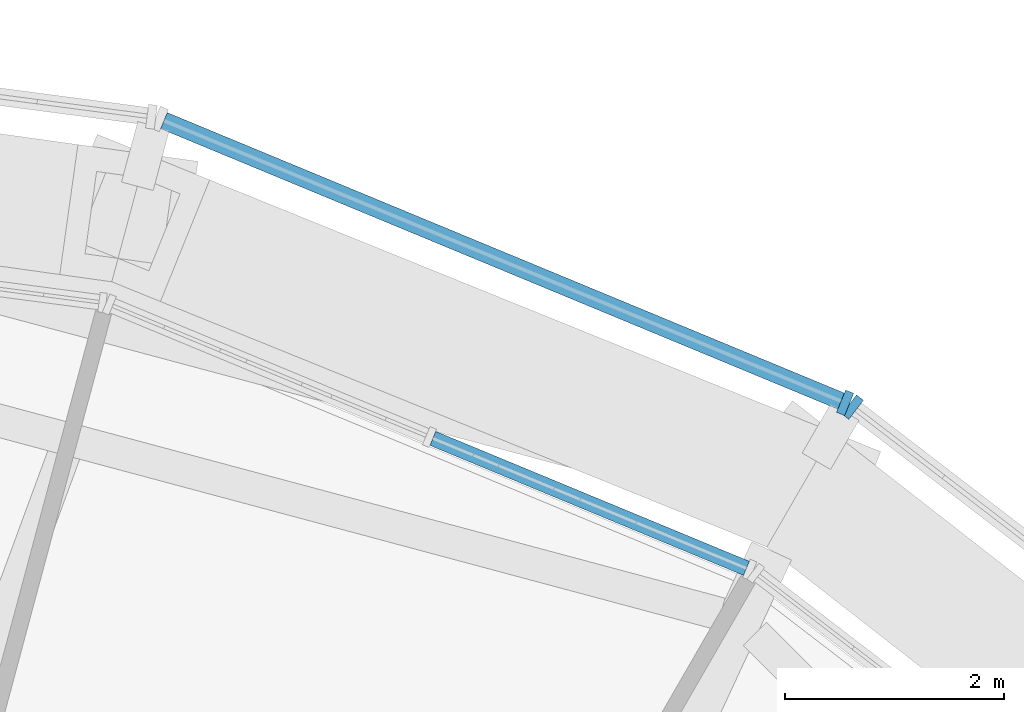
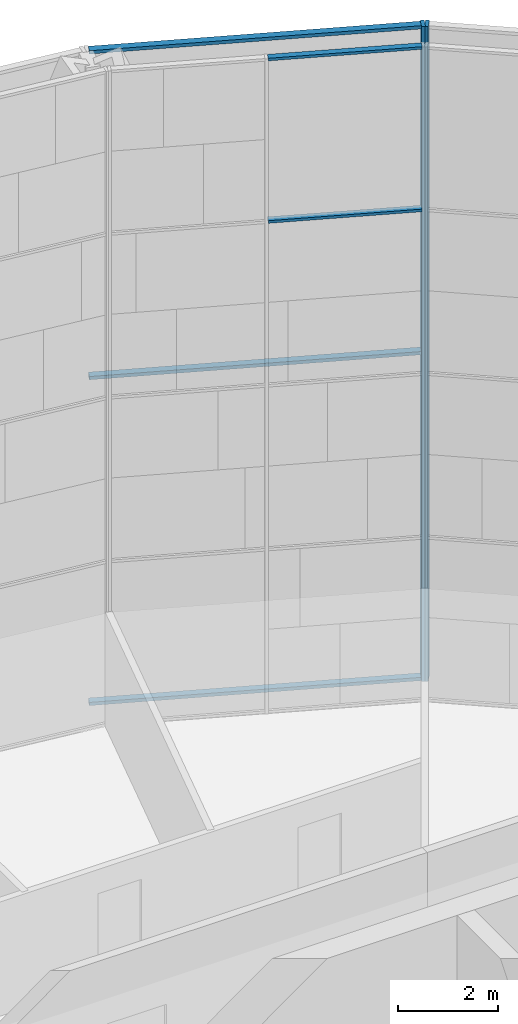
# One storey, part 12 of 29: 7 members, 3 elements without a shape of their own.
"""IFC4 building model written with IfcOpenShell, lengths in metres."""

import ifcopenshell
import ifcopenshell.guid

model = None  # the IFC model being written
_history = None  # IfcOwnerHistory: only IFC2X3 demands one
_inside = {}  # id of a spatial element -> (the spatial element, [elements in it])
_under = {}  # id of a project, library or spatial element -> (it, [spatial elements below it])
_declared = {}  # id of a project -> (the project, [libraries it declares])
_typed = {}  # id of a type object -> (the type object, [elements of that type])
_made_of = {}  # id of a material, layer set ... -> (it, [elements and type objects made of it])


def new_model(schema):
    """Start an empty IFC model of exactly this schema.

    Asked for "IFC4X3", IfcOpenShell would pick the latest addendum, in which some entities
    have other attributes; the version numbers below select the first issue.
    IFC2X3 requires an IfcOwnerHistory on every rooted entity: one is made here for all.
    """
    global model, _history
    if schema == "IFC4X3":
        model = ifcopenshell.file(schema_version=(4, 3, 0, 0))
    else:
        model = ifcopenshell.file(schema=schema)
    _inside.clear()
    _under.clear()
    _declared.clear()
    _typed.clear()
    _made_of.clear()
    _history = None
    if model.schema == "IFC2X3":
        org = make("IfcOrganization", Name="unknown")
        user = make(
            "IfcPersonAndOrganization",
            ThePerson=make("IfcPerson", FamilyName="unknown"),
            TheOrganization=org,
        )
        app = make(
            "IfcApplication",
            ApplicationDeveloper=org,
            Version="unknown",
            ApplicationFullName="unknown",
            ApplicationIdentifier="unknown",
        )
        _history = make(
            "IfcOwnerHistory",
            OwningUser=user,
            OwningApplication=app,
            ChangeAction="ADDED",
            CreationDate=0,
        )
    return model


def make(cls, **values):
    """One entity of the class cls with the attributes given. An attribute that is None is left unset."""
    return model.create_entity(
        cls, **{name: value for name, value in values.items() if value is not None}
    )


def rooted(cls, **values):
    """An entity with a GlobalId (a new one), such as an element, a storey or a relation."""
    return make(cls, GlobalId=ifcopenshell.guid.new(), OwnerHistory=_history, **values)


def si_unit(unit_type, name, prefix=None):
    """IfcSIUnit, for example si_unit("LENGTHUNIT", "METRE", prefix="MILLI")."""
    return make("IfcSIUnit", UnitType=unit_type, Prefix=prefix, Name=name)


def assignment(units):
    """IfcUnitAssignment: the units of a project."""
    return None if units is None else make("IfcUnitAssignment", Units=units)


def point(xyz):
    """IfcCartesianPoint."""
    return None if xyz is None else make("IfcCartesianPoint", Coordinates=xyz)


def direction(xyz):
    """IfcDirection."""
    return None if xyz is None else make("IfcDirection", DirectionRatios=xyz)


def frame(location, z_axis=None, x_axis=None):
    """IfcAxis2Placement3D, a coordinate frame: its origin and axes. An axis left out is left unset."""
    return make(
        "IfcAxis2Placement3D",
        Location=point(location),
        Axis=direction(z_axis),
        RefDirection=direction(x_axis),
    )


def frame_2d(location, x_axis=None):
    """IfcAxis2Placement2D, a coordinate frame in the plane: its origin and x axis."""
    return make(
        "IfcAxis2Placement2D", Location=point(location), RefDirection=direction(x_axis)
    )


def origin():
    """The frame at (0, 0, 0) with its axes left unset."""
    return frame((0.0, 0.0, 0.0))


def origin_2d():
    """The frame at (0, 0) in the plane with its x axis left unset."""
    return frame_2d((0.0, 0.0))


def place(relative_to, where):
    """IfcLocalPlacement: puts the frame where relative to a parent placement (None: the world)."""
    return make(
        "IfcLocalPlacement", PlacementRelTo=relative_to, RelativePlacement=where
    )


def context(
    kind, dimensions, precision=None, world=None, true_north=None, identifier=None
):
    """IfcGeometricRepresentationContext, for example the 3D "Model" context."""
    return make(
        "IfcGeometricRepresentationContext",
        ContextIdentifier=identifier,
        ContextType=kind,
        CoordinateSpaceDimension=dimensions,
        Precision=precision,
        WorldCoordinateSystem=world,
        TrueNorth=true_north,
    )


def subcontext(parent, identifier, kind, view, scale=None):
    """IfcGeometricRepresentationSubContext, for example "Body" below "Model"."""
    return make(
        "IfcGeometricRepresentationSubContext",
        ContextIdentifier=identifier,
        ContextType=kind,
        ParentContext=parent,
        TargetScale=scale,
        TargetView=view,
    )


def project(units=None, contexts=None):
    """IfcProject with its units and contexts."""
    return rooted(
        "IfcProject",
        Name="project",
        RepresentationContexts=contexts,
        UnitsInContext=assignment(units),
    )


def spatial(cls, under=None, at=None, **own):
    """A site, building, storey or space (cls), placed at a placement, below another one or the project."""
    s = rooted(cls, ObjectPlacement=at, **own)
    if under is not None:
        _under.setdefault(under.id(), (under, []))[1].append(s)
    return s


def profile(cls, at=None, kind="AREA", **sizes):
    """A parametric profile (cls). Its sizes go by their IFC names, for example OverallWidth=200.0."""
    return make(cls, ProfileType=kind, Position=at, **sizes)


def rectangle(**sizes):
    """IfcRectangleProfileDef."""
    return profile("IfcRectangleProfileDef", **sizes)


def extrude(swept, where, along, depth):
    """IfcExtrudedAreaSolid: the profile swept, set in the frame where, extruded along a direction by depth."""
    return make(
        "IfcExtrudedAreaSolid",
        SweptArea=swept,
        Position=where,
        ExtrudedDirection=direction(along),
        Depth=depth,
    )


def shape(context_of_items, identifier, shape_type, items):
    """IfcShapeRepresentation: the items that make up one representation, for example the "Body"."""
    return make(
        "IfcShapeRepresentation",
        ContextOfItems=context_of_items,
        RepresentationIdentifier=identifier,
        RepresentationType=shape_type,
        Items=items,
    )


def material(Name=None, Category=None):
    """IfcMaterial."""
    return make("IfcMaterial", Name=Name, Category=Category)


def material_profile(
    of_material, cross_section, Name=None, Category=None, Priority=None
):
    """IfcMaterialProfile: a cross section and its material."""
    return make(
        "IfcMaterialProfile",
        Name=Name,
        Material=of_material,
        Profile=cross_section,
        Priority=Priority,
        Category=Category,
    )


def profile_set(profiles, Name=None, composite=None):
    """IfcMaterialProfileSet."""
    return make(
        "IfcMaterialProfileSet",
        Name=Name,
        MaterialProfiles=profiles,
        CompositeProfile=composite,
    )


def made_of(thing, what):
    """Note that an element or type object is made of a material, layer set ...; save() writes the relation."""
    if what is not None:
        _made_of.setdefault(what.id(), (what, []))[1].append(thing)
    return thing


def type_object(cls, material=None, **own):
    """A type object (cls), such as IfcWallType, which elements share."""
    return made_of(rooted(cls, **own), material)


def element(
    cls,
    number,
    at=None,
    inside=None,
    cuts=None,
    type_object=None,
    material=None,
    context=None,
    identifier="Body",
    shape_type=None,
    held_by="IfcProductDefinitionShape",
    body=None,
    shapes=None,
    **own,
):
    """One element of the class cls, such as IfcWall. Its Tag is "e" and its number.

    at: its placement. inside: the storey or other place that contains it. cuts: it is an
    opening in that element (IfcRelVoidsElement). A single representation is given by context,
    identifier, shape_type and body (its items); several are given by shapes. held_by: the class
    of the entity that holds the representations. save() writes the other relations.
    """
    e = rooted(cls, Tag="e%d" % number, ObjectPlacement=at, **own)
    if body is not None:
        shapes = [shape(context, identifier, shape_type, body)]
    if shapes is not None:
        e.Representation = make(held_by, Representations=shapes)
    if inside is not None:
        _inside.setdefault(inside.id(), (inside, []))[1].append(e)
    if cuts is not None:
        rooted(
            "IfcRelVoidsElement", RelatingBuildingElement=cuts, RelatedOpeningElement=e
        )
    if type_object is not None:
        _typed.setdefault(type_object.id(), (type_object, []))[1].append(e)
    return made_of(e, material)


def aggregate(whole, parts):
    """IfcRelAggregates: a whole, such as a stair, and the parts it consists of."""
    return rooted("IfcRelAggregates", RelatingObject=whole, RelatedObjects=parts)


def save(model, path):
    """Write the relations noted so far, then the file.

    IfcRelAggregates (storeys below a building ...), IfcRelContainedInSpatialStructure (elements
    in a storey), IfcRelDefinesByType, IfcRelAssociatesMaterial and IfcRelDeclares: one each for
    every whole, place, type object, material and project.
    """
    for whole, parts in _under.values():
        aggregate(whole, parts)
    for where, things in _inside.values():
        rooted(
            "IfcRelContainedInSpatialStructure",
            RelatedElements=things,
            RelatingStructure=where,
        )
    for kind, things in _typed.values():
        rooted("IfcRelDefinesByType", RelatedObjects=things, RelatingType=kind)
    for what, things in _made_of.values():
        rooted("IfcRelAssociatesMaterial", RelatedObjects=things, RelatingMaterial=what)
    for by, libraries in _declared.values():
        rooted("IfcRelDeclares", RelatingContext=by, RelatedDefinitions=libraries)
    model.write(path)


model = new_model("IFC4")

# Units and contexts
model_context = context("Model", 3, precision=1e-05, world=origin(), true_north=direction((0.0, 1.0)))
body_context = subcontext(model_context, "Body", "Model", "MODEL_VIEW")
ifc_project = project(units=[si_unit("LENGTHUNIT", "METRE"), si_unit("AREAUNIT", "SQUARE_METRE"), si_unit("VOLUMEUNIT", "CUBIC_METRE"), si_unit("PLANEANGLEUNIT", "RADIAN"), si_unit("MASSUNIT", "GRAM", prefix="KILO")], contexts=[model_context])

# Site, building, storey
site_placement = place(None, origin())
site = spatial("IfcSite", under=ifc_project, at=site_placement, CompositionType="ELEMENT")
building_placement = place(site_placement, origin())
building = spatial("IfcBuilding", under=site, at=building_placement, Name="Golbaran Civic Tower", CompositionType="ELEMENT")
storey_placement = place(building_placement, frame((0.0, 0.0, 118.0)))
storey = spatial("IfcBuildingStorey", under=building, at=storey_placement, Name="L28", CompositionType="ELEMENT", Elevation=118.0)

# Curtain wall, members
ifc_material_1 = material(Name="Aluminium and glass", Category="aluminium")
curtain_wall_type_1 = type_object("IfcCurtainWallType", Name="INNER SKIN CURTAIN WALL", PredefinedType="NOTDEFINED", material=ifc_material_1)
curtain_wall_1_placement = place(storey_placement, origin())
curtain_wall_1 = element("IfcCurtainWall", 1, at=curtain_wall_1_placement, inside=storey, type_object=curtain_wall_type_1, Name="Inner skin L28 facet 5 CW1", ObjectType="INNER SKIN", PredefinedType="USERDEFINED")
ifc_material_2 = material(Name="Aluminium", Category="aluminium")
ifc_material_profile_1 = material_profile(ifc_material_2, rectangle(XDim=0.139892578125, YDim=0.06494140625, at=origin_2d()), Name="INNER SKIN CURTAIN WALL TRANSOM")
ifc_profile_set_1 = profile_set([ifc_material_profile_1], Name="Aluminium")
member_type_1 = type_object("IfcMemberType", Name="INNER SKIN CURTAIN WALL TRANSOM", PredefinedType="USERDEFINED", material=ifc_profile_set_1)
member_1_placement = place(storey_placement, frame((12.20703125, 21.27197265625, 12.0), z_axis=(-0.923879792653, 0.382682804327, 0.0), x_axis=(-0.382682804327, -0.923879792653, 0.0)))
member_1 = element("IfcMember", 2, at=member_1_placement, type_object=member_type_1, Name="CW1 transom 1.4", ObjectType="TRANSOM", PredefinedType="USERDEFINED", context=body_context, shape_type="SweptSolid", body=[
    extrude(rectangle(XDim=0.139892578125, YDim=0.06494140625, at=origin_2d()), origin(), (0.0, 0.0, 1.0), 3.10498046875),
])
member_2_placement = place(storey_placement, frame((12.20703125, 21.27197265625, 15.967529296875), z_axis=(-0.923879792653, 0.382682804327, 0.0), x_axis=(-0.382682804327, -0.923879792653, 0.0)))
member_2 = element("IfcMember", 3, at=member_2_placement, type_object=member_type_1, Name="CW1 transom 1.5", ObjectType="TRANSOM", PredefinedType="USERDEFINED", context=body_context, shape_type="SweptSolid", body=[
    extrude(rectangle(XDim=0.139892578125, YDim=0.06494140625, at=origin_2d()), origin(), (0.0, 0.0, 1.0), 3.10498046875),
])
aggregate(curtain_wall_1, [member_1, member_2])

# Curtain wall, member
curtain_wall_type_2 = type_object("IfcCurtainWallType", Name="OUTER SKIN TERRACOTTA SCREEN", PredefinedType="NOTDEFINED", material=ifc_material_1)
curtain_wall_2_placement = place(storey_placement, origin())
curtain_wall_2 = element("IfcCurtainWall", 4, at=curtain_wall_2_placement, inside=storey, type_object=curtain_wall_type_2, Name="Outer skin L28 facet 4 CW3", ObjectType="OUTER SKIN", PredefinedType="USERDEFINED")
ifc_material_profile_2 = material_profile(ifc_material_2, rectangle(XDim=0.219970703125, YDim=0.080078125, at=origin_2d()), Name="OUTER SKIN TERRACOTTA SCREEN MULLION")
ifc_profile_set_2 = profile_set([ifc_material_profile_2], Name="Aluminium")
member_type_2 = type_object("IfcMemberType", Name="OUTER SKIN TERRACOTTA SCREEN MULLION", PredefinedType="MULLION", material=ifc_profile_set_2)
member_3_placement = place(storey_placement, frame((13.17822265625, 22.74609375, -0.7099609375), z_axis=(0.0, 0.0, 1.0), x_axis=(-0.608761428995, -0.793353340302, 0.0)))
member_3 = element("IfcMember", 5, at=member_3_placement, type_object=member_type_2, Name="CW3 mullion 2", PredefinedType="MULLION", context=body_context, shape_type="SweptSolid", body=[
    extrude(rectangle(XDim=0.219970703125, YDim=0.080078125, at=origin_2d()), origin(), (0.0, 0.0, 1.0), 16.0),
])
aggregate(curtain_wall_2, [member_3])

# Curtain wall, members
curtain_wall_3_placement = place(storey_placement, origin())
curtain_wall_3 = element("IfcCurtainWall", 6, at=curtain_wall_3_placement, inside=storey, type_object=curtain_wall_type_2, Name="Outer skin L28 facet 5 CW3", ObjectType="OUTER SKIN", PredefinedType="USERDEFINED")
member_4_placement = place(storey_placement, frame((13.109619140625, 22.78564453125, -0.7099609375), z_axis=(0.0, 0.0, 1.0), x_axis=(-0.382683432381, -0.923879532505, 0.0)))
member_4 = element("IfcMember", 7, at=member_4_placement, type_object=member_type_2, Name="CW3 mullion 1", PredefinedType="MULLION", context=body_context, shape_type="SweptSolid", body=[
    extrude(rectangle(XDim=0.219970703125, YDim=0.080078125, at=origin_2d()), origin(), (0.0, 0.0, 1.0), 16.0),
])
ifc_material_profile_3 = material_profile(ifc_material_2, rectangle(XDim=0.159912109375, YDim=0.080078125, at=origin_2d()), Name="OUTER SKIN TERRACOTTA SCREEN TRANSOM")
ifc_profile_set_3 = profile_set([ifc_material_profile_3], Name="Aluminium")
member_type_3 = type_object("IfcMemberType", Name="OUTER SKIN TERRACOTTA SCREEN TRANSOM", PredefinedType="USERDEFINED", material=ifc_profile_set_3)
member_5_placement = place(storey_placement, frame((13.072509765625, 22.801025390625, -0.669921875), z_axis=(-0.923876566489, 0.382690592899, 0.0), x_axis=(-0.382690592899, -0.923876566489, 0.0)))
member_5 = element("IfcMember", 8, at=member_5_placement, type_object=member_type_3, Name="CW3 transom 1.1", ObjectType="TRANSOM", PredefinedType="USERDEFINED", context=body_context, shape_type="SweptSolid", body=[
    extrude(rectangle(XDim=0.159912109375, YDim=0.080078125, at=origin_2d()), origin(), (0.0, 0.0, 1.0), 6.70361328125),
])
member_6_placement = place(storey_placement, frame((13.072509765625, 22.801025390625, 7.2900390625), z_axis=(-0.923876566489, 0.382690592899, 0.0), x_axis=(-0.382690592899, -0.923876566489, 0.0)))
member_6 = element("IfcMember", 9, at=member_6_placement, type_object=member_type_3, Name="CW3 transom 1.2", ObjectType="TRANSOM", PredefinedType="USERDEFINED", context=body_context, shape_type="SweptSolid", body=[
    extrude(rectangle(XDim=0.159912109375, YDim=0.080078125, at=origin_2d()), origin(), (0.0, 0.0, 1.0), 6.70361328125),
])
member_7_placement = place(storey_placement, frame((13.072509765625, 22.801025390625, 15.25), z_axis=(-0.923876566489, 0.382690592899, 0.0), x_axis=(-0.382690592899, -0.923876566489, 0.0)))
member_7 = element("IfcMember", 10, at=member_7_placement, type_object=member_type_3, Name="CW3 transom 1.3", ObjectType="TRANSOM", PredefinedType="USERDEFINED", context=body_context, shape_type="SweptSolid", body=[
    extrude(rectangle(XDim=0.159912109375, YDim=0.080078125, at=origin_2d()), origin(), (0.0, 0.0, 1.0), 6.70361328125),
])
aggregate(curtain_wall_3, [member_4, member_5, member_6, member_7])

save(model, "model.ifc")
